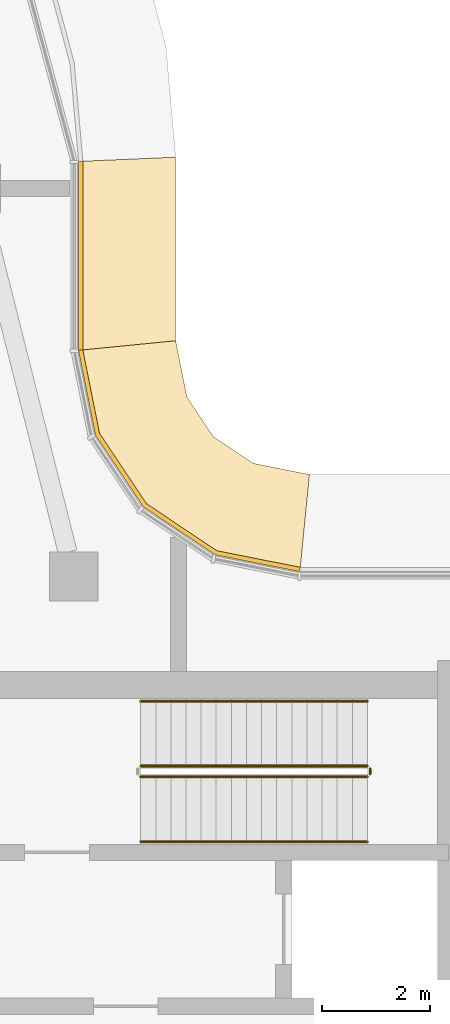
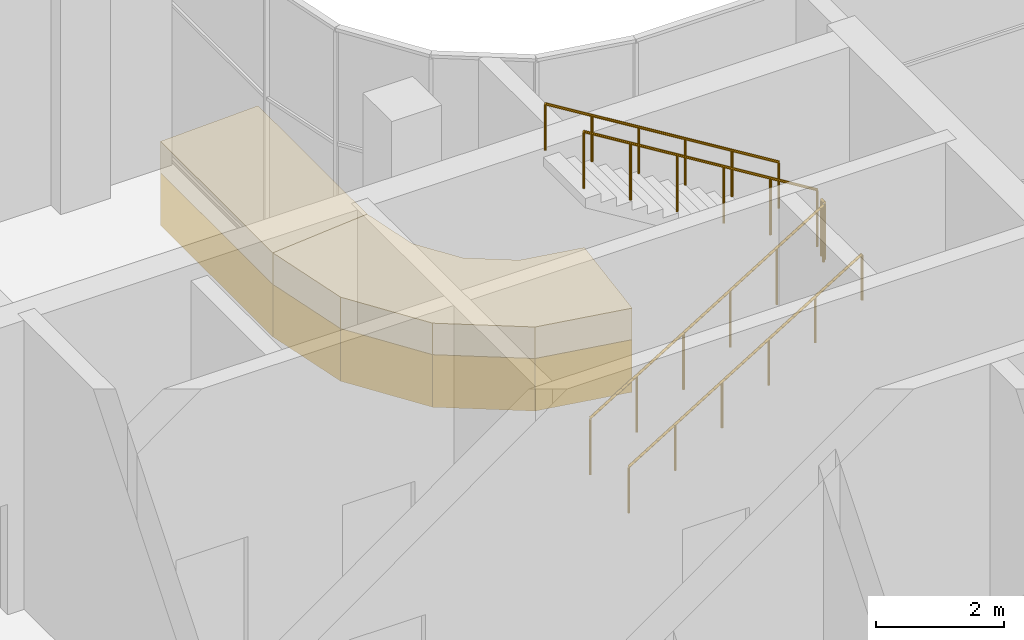
# One storey, part 20 of 23: 5 railings, 4 coverings.
"""IFC4 building model written with IfcOpenShell, lengths in metres."""

import ifcopenshell
import ifcopenshell.guid

model = None  # the IFC model being written
_history = None  # IfcOwnerHistory: only IFC2X3 demands one
_inside = {}  # id of a spatial element -> (the spatial element, [elements in it])
_under = {}  # id of a project, library or spatial element -> (it, [spatial elements below it])
_declared = {}  # id of a project -> (the project, [libraries it declares])
_typed = {}  # id of a type object -> (the type object, [elements of that type])
_made_of = {}  # id of a material, layer set ... -> (it, [elements and type objects made of it])


def new_model(schema):
    """Start an empty IFC model of exactly this schema.

    Asked for "IFC4X3", IfcOpenShell would pick the latest addendum, in which some entities
    have other attributes; the version numbers below select the first issue.
    IFC2X3 requires an IfcOwnerHistory on every rooted entity: one is made here for all.
    """
    global model, _history
    if schema == "IFC4X3":
        model = ifcopenshell.file(schema_version=(4, 3, 0, 0))
    else:
        model = ifcopenshell.file(schema=schema)
    _inside.clear()
    _under.clear()
    _declared.clear()
    _typed.clear()
    _made_of.clear()
    _history = None
    if model.schema == "IFC2X3":
        org = make("IfcOrganization", Name="unknown")
        user = make(
            "IfcPersonAndOrganization",
            ThePerson=make("IfcPerson", FamilyName="unknown"),
            TheOrganization=org,
        )
        app = make(
            "IfcApplication",
            ApplicationDeveloper=org,
            Version="unknown",
            ApplicationFullName="unknown",
            ApplicationIdentifier="unknown",
        )
        _history = make(
            "IfcOwnerHistory",
            OwningUser=user,
            OwningApplication=app,
            ChangeAction="ADDED",
            CreationDate=0,
        )
    return model


def make(cls, **values):
    """One entity of the class cls with the attributes given. An attribute that is None is left unset."""
    return model.create_entity(
        cls, **{name: value for name, value in values.items() if value is not None}
    )


def rooted(cls, **values):
    """An entity with a GlobalId (a new one), such as an element, a storey or a relation."""
    return make(cls, GlobalId=ifcopenshell.guid.new(), OwnerHistory=_history, **values)


def si_unit(unit_type, name, prefix=None):
    """IfcSIUnit, for example si_unit("LENGTHUNIT", "METRE", prefix="MILLI")."""
    return make("IfcSIUnit", UnitType=unit_type, Prefix=prefix, Name=name)


def assignment(units):
    """IfcUnitAssignment: the units of a project."""
    return None if units is None else make("IfcUnitAssignment", Units=units)


def point(xyz):
    """IfcCartesianPoint."""
    return None if xyz is None else make("IfcCartesianPoint", Coordinates=xyz)


def direction(xyz):
    """IfcDirection."""
    return None if xyz is None else make("IfcDirection", DirectionRatios=xyz)


def frame(location, z_axis=None, x_axis=None):
    """IfcAxis2Placement3D, a coordinate frame: its origin and axes. An axis left out is left unset."""
    return make(
        "IfcAxis2Placement3D",
        Location=point(location),
        Axis=direction(z_axis),
        RefDirection=direction(x_axis),
    )


def frame_2d(location, x_axis=None):
    """IfcAxis2Placement2D, a coordinate frame in the plane: its origin and x axis."""
    return make(
        "IfcAxis2Placement2D", Location=point(location), RefDirection=direction(x_axis)
    )


def origin():
    """The frame at (0, 0, 0) with its axes left unset."""
    return frame((0.0, 0.0, 0.0))


def origin_2d():
    """The frame at (0, 0) in the plane with its x axis left unset."""
    return frame_2d((0.0, 0.0))


def place(relative_to, where):
    """IfcLocalPlacement: puts the frame where relative to a parent placement (None: the world)."""
    return make(
        "IfcLocalPlacement", PlacementRelTo=relative_to, RelativePlacement=where
    )


def context(
    kind, dimensions, precision=None, world=None, true_north=None, identifier=None
):
    """IfcGeometricRepresentationContext, for example the 3D "Model" context."""
    return make(
        "IfcGeometricRepresentationContext",
        ContextIdentifier=identifier,
        ContextType=kind,
        CoordinateSpaceDimension=dimensions,
        Precision=precision,
        WorldCoordinateSystem=world,
        TrueNorth=true_north,
    )


def subcontext(parent, identifier, kind, view, scale=None):
    """IfcGeometricRepresentationSubContext, for example "Body" below "Model"."""
    return make(
        "IfcGeometricRepresentationSubContext",
        ContextIdentifier=identifier,
        ContextType=kind,
        ParentContext=parent,
        TargetScale=scale,
        TargetView=view,
    )


def project(units=None, contexts=None):
    """IfcProject with its units and contexts."""
    return rooted(
        "IfcProject",
        Name="project",
        RepresentationContexts=contexts,
        UnitsInContext=assignment(units),
    )


def spatial(cls, under=None, at=None, **own):
    """A site, building, storey or space (cls), placed at a placement, below another one or the project."""
    s = rooted(cls, ObjectPlacement=at, **own)
    if under is not None:
        _under.setdefault(under.id(), (under, []))[1].append(s)
    return s


def polyline(points):
    """IfcPolyline through the points."""
    return make("IfcPolyline", Points=[point(p) for p in points])


def profile(cls, at=None, kind="AREA", **sizes):
    """A parametric profile (cls). Its sizes go by their IFC names, for example OverallWidth=200.0."""
    return make(cls, ProfileType=kind, Position=at, **sizes)


def circle(**sizes):
    """IfcCircleProfileDef."""
    return profile("IfcCircleProfileDef", **sizes)


def outline(outer, holes=None, kind="AREA"):
    """IfcArbitraryClosedProfileDef: a profile drawn as a closed curve; with holes, ...WithVoids."""
    if holes is None:
        return make("IfcArbitraryClosedProfileDef", ProfileType=kind, OuterCurve=outer)
    return make(
        "IfcArbitraryProfileDefWithVoids",
        ProfileType=kind,
        OuterCurve=outer,
        InnerCurves=holes,
    )


def extrude(swept, where, along, depth):
    """IfcExtrudedAreaSolid: the profile swept, set in the frame where, extruded along a direction by depth."""
    return make(
        "IfcExtrudedAreaSolid",
        SweptArea=swept,
        Position=where,
        ExtrudedDirection=direction(along),
        Depth=depth,
    )


def shape(context_of_items, identifier, shape_type, items):
    """IfcShapeRepresentation: the items that make up one representation, for example the "Body"."""
    return make(
        "IfcShapeRepresentation",
        ContextOfItems=context_of_items,
        RepresentationIdentifier=identifier,
        RepresentationType=shape_type,
        Items=items,
    )


def material(Name=None, Category=None):
    """IfcMaterial."""
    return make("IfcMaterial", Name=Name, Category=Category)


def layer(
    of_material, thickness, ventilated=None, Name=None, Category=None, Priority=None
):
    """IfcMaterialLayer: one layer of a wall or slab, of a material (None: an air gap)."""
    return make(
        "IfcMaterialLayer",
        Material=of_material,
        LayerThickness=thickness,
        IsVentilated=ventilated,
        Name=Name,
        Category=Category,
        Priority=Priority,
    )


def layer_set(layers, Name=None):
    """IfcMaterialLayerSet."""
    return make("IfcMaterialLayerSet", MaterialLayers=layers, LayerSetName=Name)


def made_of(thing, what):
    """Note that an element or type object is made of a material, layer set ...; save() writes the relation."""
    if what is not None:
        _made_of.setdefault(what.id(), (what, []))[1].append(thing)
    return thing


def type_object(cls, material=None, **own):
    """A type object (cls), such as IfcWallType, which elements share."""
    return made_of(rooted(cls, **own), material)


def element(
    cls,
    number,
    at=None,
    inside=None,
    cuts=None,
    type_object=None,
    material=None,
    context=None,
    identifier="Body",
    shape_type=None,
    held_by="IfcProductDefinitionShape",
    body=None,
    shapes=None,
    **own,
):
    """One element of the class cls, such as IfcWall. Its Tag is "e" and its number.

    at: its placement. inside: the storey or other place that contains it. cuts: it is an
    opening in that element (IfcRelVoidsElement). A single representation is given by context,
    identifier, shape_type and body (its items); several are given by shapes. held_by: the class
    of the entity that holds the representations. save() writes the other relations.
    """
    e = rooted(cls, Tag="e%d" % number, ObjectPlacement=at, **own)
    if body is not None:
        shapes = [shape(context, identifier, shape_type, body)]
    if shapes is not None:
        e.Representation = make(held_by, Representations=shapes)
    if inside is not None:
        _inside.setdefault(inside.id(), (inside, []))[1].append(e)
    if cuts is not None:
        rooted(
            "IfcRelVoidsElement", RelatingBuildingElement=cuts, RelatedOpeningElement=e
        )
    if type_object is not None:
        _typed.setdefault(type_object.id(), (type_object, []))[1].append(e)
    return made_of(e, material)


def aggregate(whole, parts):
    """IfcRelAggregates: a whole, such as a stair, and the parts it consists of."""
    return rooted("IfcRelAggregates", RelatingObject=whole, RelatedObjects=parts)


def save(model, path):
    """Write the relations noted so far, then the file.

    IfcRelAggregates (storeys below a building ...), IfcRelContainedInSpatialStructure (elements
    in a storey), IfcRelDefinesByType, IfcRelAssociatesMaterial and IfcRelDeclares: one each for
    every whole, place, type object, material and project.
    """
    for whole, parts in _under.values():
        aggregate(whole, parts)
    for where, things in _inside.values():
        rooted(
            "IfcRelContainedInSpatialStructure",
            RelatedElements=things,
            RelatingStructure=where,
        )
    for kind, things in _typed.values():
        rooted("IfcRelDefinesByType", RelatedObjects=things, RelatingType=kind)
    for what, things in _made_of.values():
        rooted("IfcRelAssociatesMaterial", RelatedObjects=things, RelatingMaterial=what)
    for by, libraries in _declared.values():
        rooted("IfcRelDeclares", RelatingContext=by, RelatedDefinitions=libraries)
    model.write(path)


model = new_model("IFC4")

# Units and contexts
model_context = context("Model", 3, precision=1e-05, world=origin(), true_north=direction((0.0, 1.0)))
body_context = subcontext(model_context, "Body", "Model", "MODEL_VIEW")
ifc_project = project(units=[si_unit("LENGTHUNIT", "METRE"), si_unit("AREAUNIT", "SQUARE_METRE"), si_unit("VOLUMEUNIT", "CUBIC_METRE"), si_unit("PLANEANGLEUNIT", "RADIAN"), si_unit("MASSUNIT", "GRAM", prefix="KILO")], contexts=[model_context])

# Site, building, storey
site_placement = place(None, origin())
site = spatial("IfcSite", under=ifc_project, at=site_placement, CompositionType="ELEMENT")
building_placement = place(site_placement, origin())
building = spatial("IfcBuilding", under=site, at=building_placement, Name="Ogive Portal Towers", CompositionType="ELEMENT")
storey_placement = place(building_placement, frame((0.0, 0.0, 249.39990234375)))
storey = spatial("IfcBuildingStorey", under=building, at=storey_placement, Name="L62", CompositionType="ELEMENT", Elevation=249.39990234375)

# Railings
ifc_material_1 = material(Name="Stainless steel balustrade", Category="steel")
railing_type_1 = type_object("IfcRailingType", Name="INT-GUARD", PredefinedType="GUARDRAIL", material=ifc_material_1)
railing_1_placement = place(storey_placement, frame((52.550048828125, 37.60009765625, 0.171875)))
element("IfcRailing", 1, at=railing_1_placement, inside=storey, type_object=railing_type_1, Name="L62 ST-A2 stair guard 1", PredefinedType="GUARDRAIL", context=body_context, shape_type="SweptSolid", body=[
    extrude(circle(Radius=0.02392578125, at=origin_2d()), frame((0.0, 0.0, 1.076171875), z_axis=(0.852242915053, 0.0, 0.523146264196), x_axis=(0.0, 1.0, 0.0)), (0.0, 0.0, 1.0), 4.92822265625),
    extrude(circle(Radius=0.02099609375, at=origin_2d()), origin(), (0.0, 0.0, 1.0), 1.052001953125),
    extrude(circle(Radius=0.02099609375, at=origin_2d()), frame((0.840087890625, 0.0, 0.515625)), (0.0, 0.0, 1.0), 1.052001953125),
    extrude(circle(Radius=0.02099609375, at=origin_2d()), frame((1.679931640625, 0.0, 1.03125)), (0.0, 0.0, 1.0), 1.052001953125),
    extrude(circle(Radius=0.02099609375, at=origin_2d()), frame((2.52001953125, 0.0, 1.546875)), (0.0, 0.0, 1.0), 1.052001953125),
    extrude(circle(Radius=0.02099609375, at=origin_2d()), frame((3.35986328125, 0.0, 2.0625)), (0.0, 0.0, 1.0), 1.052001953125),
    extrude(circle(Radius=0.02099609375, at=origin_2d()), frame((4.199951171875, 0.0, 2.578125)), (0.0, 0.0, 1.0), 1.052001953125),
])
railing_2_placement = place(storey_placement, frame((56.800048828125, 37.64990234375, 2.75)))
element("IfcRailing", 2, at=railing_2_placement, inside=storey, type_object=railing_type_1, Name="L62 ST-A2 stair guard 2", PredefinedType="GUARDRAIL", context=body_context, shape_type="SweptSolid", body=[
    extrude(circle(Radius=0.02392578125, at=origin_2d()), frame((0.0, 0.0, 1.076171875), z_axis=(0.0, 1.0, 0.0), x_axis=(-1.0, 0.0, 0.0)), (0.0, 0.0, 1.0), 0.10009765625),
    extrude(circle(Radius=0.02099609375, at=origin_2d()), origin(), (0.0, 0.0, 1.0), 1.052001953125),
    extrude(circle(Radius=0.02099609375, at=origin_2d()), frame((0.0, 0.10009765625, 0.0)), (0.0, 0.0, 1.0), 1.052001953125),
])
railing_3_placement = place(storey_placement, frame((56.75, 37.800048828125, 2.921875)))
element("IfcRailing", 3, at=railing_3_placement, inside=storey, type_object=railing_type_1, Name="L62 ST-A2 stair guard 3", PredefinedType="GUARDRAIL", context=body_context, shape_type="SweptSolid", body=[
    extrude(circle(Radius=0.02392578125, at=origin_2d()), frame((0.0, 0.0, 1.076171875), z_axis=(-0.852242915053, 0.0, 0.523146264196), x_axis=(0.0, -1.0, 0.0)), (0.0, 0.0, 1.0), 4.92822265625),
    extrude(circle(Radius=0.02099609375, at=origin_2d()), origin(), (0.0, 0.0, 1.0), 1.052001953125),
    extrude(circle(Radius=0.02099609375, at=origin_2d()), frame((-0.840087890625, 0.0, 0.515625)), (0.0, 0.0, 1.0), 1.052001953125),
    extrude(circle(Radius=0.02099609375, at=origin_2d()), frame((-1.679931640625, 0.0, 1.03125)), (0.0, 0.0, 1.0), 1.052001953125),
    extrude(circle(Radius=0.02099609375, at=origin_2d()), frame((-2.52001953125, 0.0, 1.546875)), (0.0, 0.0, 1.0), 1.052001953125),
    extrude(circle(Radius=0.02099609375, at=origin_2d()), frame((-3.35986328125, 0.0, 2.0625)), (0.0, 0.0, 1.0), 1.052001953125),
    extrude(circle(Radius=0.02099609375, at=origin_2d()), frame((-4.199951171875, 0.0, 2.578125)), (0.0, 0.0, 1.0), 1.052001953125),
])
ifc_material_2 = material(Name="Stainless steel handrail", Category="steel")
railing_type_2 = type_object("IfcRailingType", Name="INT-HANDRAIL", PredefinedType="HANDRAIL", material=ifc_material_2)
railing_4_placement = place(storey_placement, frame((52.550048828125, 36.39990234375, 0.171875)))
element("IfcRailing", 4, at=railing_4_placement, inside=storey, type_object=railing_type_2, Name="L62 ST-A2 stair handrail 1", PredefinedType="HANDRAIL", context=body_context, shape_type="SweptSolid", body=[
    extrude(circle(Radius=0.02392578125, at=origin_2d()), frame((0.0, 0.0, 0.8759765625), z_axis=(0.852242915053, 0.0, 0.523146264196), x_axis=(0.0, 1.0, 0.0)), (0.0, 0.0, 1.0), 4.92822265625),
    extrude(circle(Radius=0.02099609375, at=origin_2d()), origin(), (0.0, 0.0, 1.0), 0.851806640625),
    extrude(circle(Radius=0.02099609375, at=origin_2d()), frame((0.840087890625, 0.0, 0.515625)), (0.0, 0.0, 1.0), 0.851806640625),
    extrude(circle(Radius=0.02099609375, at=origin_2d()), frame((1.679931640625, 0.0, 1.03125)), (0.0, 0.0, 1.0), 0.851806640625),
    extrude(circle(Radius=0.02099609375, at=origin_2d()), frame((2.52001953125, 0.0, 1.546875)), (0.0, 0.0, 1.0), 0.851806640625),
    extrude(circle(Radius=0.02099609375, at=origin_2d()), frame((3.35986328125, 0.0, 2.0625)), (0.0, 0.0, 1.0), 0.851806640625),
    extrude(circle(Radius=0.02099609375, at=origin_2d()), frame((4.199951171875, 0.0, 2.578125)), (0.0, 0.0, 1.0), 0.851806640625),
])
railing_5_placement = place(storey_placement, frame((56.75, 39.0, 2.921875)))
element("IfcRailing", 5, at=railing_5_placement, inside=storey, type_object=railing_type_2, Name="L62 ST-A2 stair handrail 2", PredefinedType="HANDRAIL", context=body_context, shape_type="SweptSolid", body=[
    extrude(circle(Radius=0.02392578125, at=origin_2d()), frame((0.0, 0.0, 0.8759765625), z_axis=(-0.852242915053, 0.0, 0.523146264196), x_axis=(0.0, -1.0, 0.0)), (0.0, 0.0, 1.0), 4.92822265625),
    extrude(circle(Radius=0.02099609375, at=origin_2d()), origin(), (0.0, 0.0, 1.0), 0.851806640625),
    extrude(circle(Radius=0.02099609375, at=origin_2d()), frame((-0.840087890625, 0.0, 0.515625)), (0.0, 0.0, 1.0), 0.851806640625),
    extrude(circle(Radius=0.02099609375, at=origin_2d()), frame((-1.679931640625, 0.0, 1.03125)), (0.0, 0.0, 1.0), 0.851806640625),
    extrude(circle(Radius=0.02099609375, at=origin_2d()), frame((-2.52001953125, 0.0, 1.546875)), (0.0, 0.0, 1.0), 0.851806640625),
    extrude(circle(Radius=0.02099609375, at=origin_2d()), frame((-3.35986328125, 0.0, 2.0625)), (0.0, 0.0, 1.0), 0.851806640625),
    extrude(circle(Radius=0.02099609375, at=origin_2d()), frame((-4.199951171875, 0.0, 2.578125)), (0.0, 0.0, 1.0), 0.851806640625),
])

# Coverings
ifc_material_3 = material(Name="Limestone cladding on lightweight block wall", Category="masonry")
ifc_layer_1 = layer(ifc_material_3, 0.080078125)
ifc_layer_set_1 = layer_set([ifc_layer_1], Name="STONE SPANDREL 80")
covering_type_1 = type_object("IfcCoveringType", Name="STONE SPANDREL 80", PredefinedType="CLADDING", material=ifc_layer_set_1)
covering_1_placement = place(storey_placement, frame((0.0, 0.0, -1.599853515625)))
element("IfcCovering", 6, at=covering_1_placement, inside=storey, type_object=covering_type_1, Name="Stone spandrel A1-F10", PredefinedType="CLADDING", context=body_context, shape_type="SweptSolid", body=[
    extrude(outline(polyline([(55.5, 41.39990234375), (53.930908203125, 41.712158203125), (52.600830078125, 42.600830078125), (51.712158203125, 43.930908203125), (51.39990234375, 45.5), (51.47998046875, 45.5078125), (51.787353515625, 43.962158203125), (52.658447265625, 42.658447265625), (53.962158203125, 41.787353515625), (55.5078125, 41.47998046875), (55.5, 41.39990234375)])), origin(), (0.0, 0.0, 1.0), 1.0),
])
covering_2_placement = place(storey_placement, frame((0.0, 0.0, -1.599853515625)))
element("IfcCovering", 7, at=covering_2_placement, inside=storey, type_object=covering_type_1, Name="Stone spandrel A1-F11", PredefinedType="CLADDING", context=body_context, shape_type="SweptSolid", body=[
    extrude(outline(polyline([(51.39990234375, 45.5), (51.39990234375, 49.0), (51.47998046875, 49.00341796875), (51.47998046875, 45.5078125), (51.39990234375, 45.5)])), origin(), (0.0, 0.0, 1.0), 1.0),
])
ifc_layer_2 = layer(ifc_material_3, 0.60009765625)
ifc_layer_set_2 = layer_set([ifc_layer_2], Name="SUNSHADE LIP 600")
covering_type_2 = type_object("IfcCoveringType", Name="SUNSHADE LIP 600", PredefinedType="CLADDING", material=ifc_layer_set_2)
covering_3_placement = place(storey_placement, frame((0.0, 0.0, -0.599853515625)))
element("IfcCovering", 8, at=covering_3_placement, inside=storey, type_object=covering_type_2, Name="Sunshade lip A1-F10", PredefinedType="CLADDING", context=body_context, shape_type="SweptSolid", body=[
    extrude(outline(polyline([(55.5, 41.39990234375), (53.930908203125, 41.712158203125), (52.600830078125, 42.600830078125), (51.712158203125, 43.930908203125), (51.39990234375, 45.5), (53.199951171875, 45.67724609375), (53.40771484375, 44.63330078125), (53.898681640625, 43.898681640625), (54.63330078125, 43.40771484375), (55.67724609375, 43.199951171875), (55.5, 41.39990234375)])), origin(), (0.0, 0.0, 1.0), 0.599853515625),
])
covering_4_placement = place(storey_placement, frame((0.0, 0.0, -0.599853515625)))
element("IfcCovering", 9, at=covering_4_placement, inside=storey, type_object=covering_type_2, Name="Sunshade lip A1-F11", PredefinedType="CLADDING", context=body_context, shape_type="SweptSolid", body=[
    extrude(outline(polyline([(51.39990234375, 45.5), (51.39990234375, 49.0), (53.199951171875, 49.07861328125), (53.199951171875, 45.67724609375), (51.39990234375, 45.5)])), origin(), (0.0, 0.0, 1.0), 0.599853515625),
])

save(model, "model.ifc")
